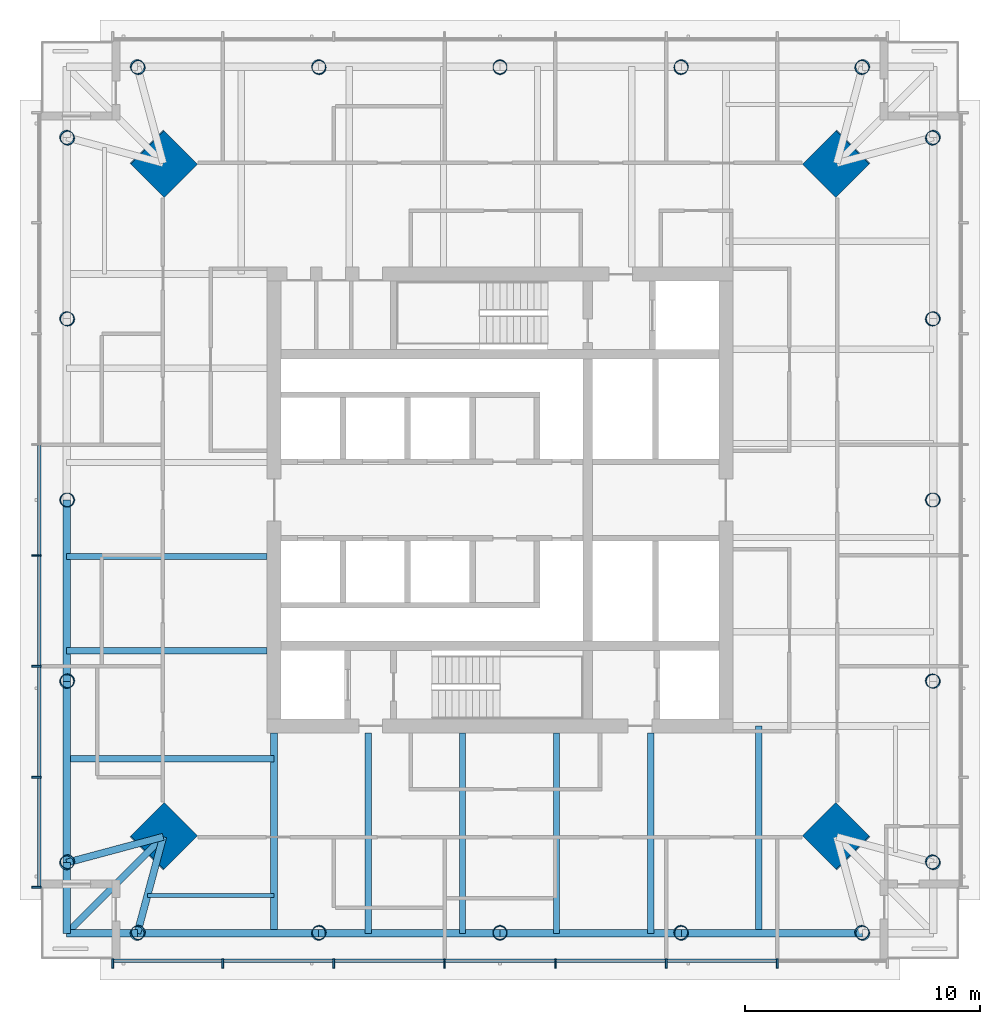
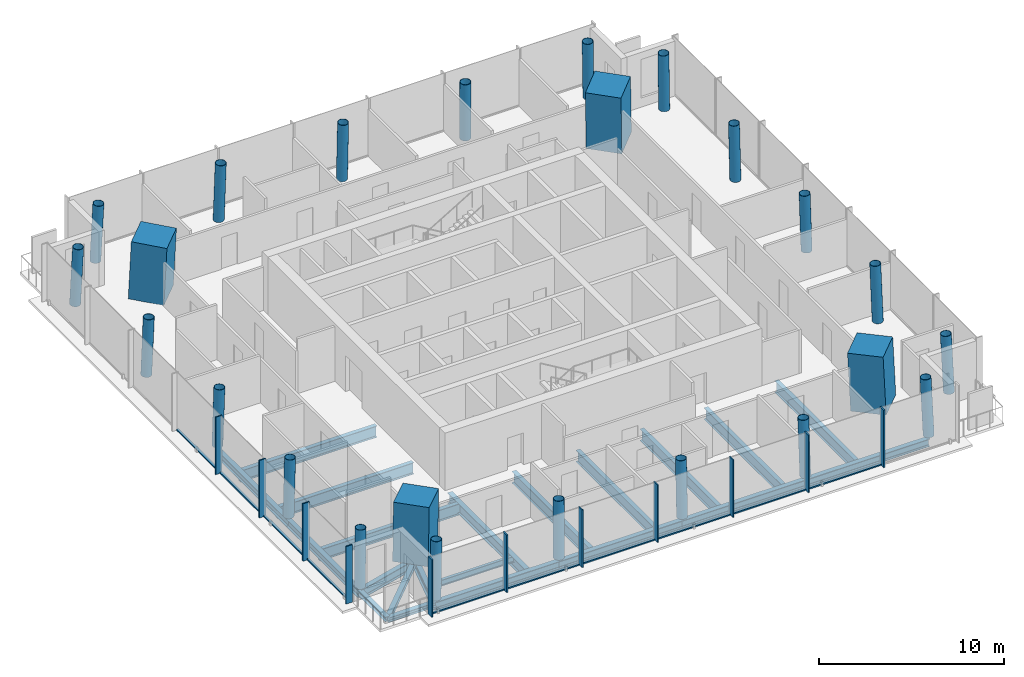
# One storey, part 1 of 11: 24 columns, 21 beams, 21 members, 2 elements without a shape of their own.
"""IFC4 building model written with IfcOpenShell, lengths in metres."""

from ifc_helpers import new_model, si_unit, direction, frame, origin, origin_2d, place, context, subcontext, project, spatial, rectangle, hollow_circle, i_section, extrude, material, material_profile, profile_set, type_object, element, aggregate, save


model = new_model("IFC4")

# Units and contexts
model_context = context("Model", 3, precision=1e-05, world=origin(), true_north=direction((0.0, 1.0)))
body_context = subcontext(model_context, "Body", "Model", "MODEL_VIEW")
ifc_project = project(units=[si_unit("LENGTHUNIT", "METRE"), si_unit("AREAUNIT", "SQUARE_METRE"), si_unit("VOLUMEUNIT", "CUBIC_METRE"), si_unit("PLANEANGLEUNIT", "RADIAN"), si_unit("MASSUNIT", "GRAM", prefix="KILO")], contexts=[model_context])

# Site, building, storey
site_placement = place(None, origin())
site = spatial("IfcSite", under=ifc_project, at=site_placement, CompositionType="ELEMENT")
building_placement = place(site_placement, origin())
building = spatial("IfcBuilding", under=site, at=building_placement, Name="Ostroluk Exchange", CompositionType="ELEMENT")
storey_placement = place(building_placement, frame((0.0, 0.0, 195.800048828125)))
storey = spatial("IfcBuildingStorey", under=building, at=storey_placement, Name="L50", CompositionType="ELEMENT", Elevation=195.800048828125)

# Columns
ifc_material_1 = material(Name="Concrete C50/60", Category="concrete")
ifc_material_profile_1 = material_profile(ifc_material_1, rectangle(XDim=2.0, YDim=2.0, at=origin_2d()), Name="RC 2000x2000")
ifc_profile_set_1 = profile_set([ifc_material_profile_1], Name="Concrete C50/60")
column_type_1 = type_object("IfcColumnType", Name="Mega column RC 2000x2000", PredefinedType="COLUMN", material=ifc_profile_set_1)
for number, where, z_axis, x_axis, name in (
    (1, (59.314208984375, 60.314208984375, 0.0), (-0.031898107953, -0.031898107953, 0.998981992539), (0.707106781187, -0.707106781187, 0.0), "T1 mega column NE"),
    (2, (30.685791015625, 60.314208984375, 0.0), (0.031898107953, -0.031898107953, 0.998981992539), (0.707106781187, 0.707106781187, 0.0), "T1 mega column NW"),
    (3, (30.685791015625, 31.685791015625, 0.0), (0.031898107953, 0.031898107953, 0.998981992539), (-0.707106781187, 0.707106781187, 0.0), "T1 mega column SW"),
    (4, (59.314208984375, 31.685791015625, 0.0), (-0.031898107953, 0.031898107953, 0.998981992539), (-0.707106781187, -0.707106781187, 0.0), "T1 mega column SE"),
):
    element("IfcColumn", number, at=place(storey_placement, frame(where, z_axis=z_axis, x_axis=x_axis)), inside=storey, type_object=column_type_1, Name=name, PredefinedType="COLUMN", context=body_context, shape_type="SweptSolid", body=[
        extrude(rectangle(XDim=2.0, YDim=2.0, at=origin_2d()), origin(), (0.0, 0.0, 1.0), 3.803955078125),
    ])
ifc_material_2 = material(Name="Steel S460", Category="steel")
ifc_material_profile_2 = material_profile(ifc_material_2, hollow_circle(Radius=0.304931640625, WallThickness=0.02490234375, at=origin_2d()), Name="CHS 610x25")
ifc_profile_set_2 = profile_set([ifc_material_profile_2], Name="Steel S460")
column_type_2 = type_object("IfcColumnType", Name="Perimeter column CHS 610x25", PredefinedType="COLUMN", material=ifc_profile_set_2)
for number, where, z_axis, x_axis, name in (
    (5, (63.414306640625, 30.585693359375, 0.0), (-0.031898107953, 0.031898107953, 0.998981992539), (-0.707106781187, -0.707106781187, 0.0), "T1 east face column E0"),
    (6, (63.414306640625, 61.414306640625, 0.0), (-0.031898107953, -0.031898107953, 0.998981992539), (0.707106781187, -0.707106781187, 0.0), "T1 east face column E1"),
):
    element("IfcColumn", number, at=place(storey_placement, frame(where, z_axis=z_axis, x_axis=x_axis)), inside=storey, type_object=column_type_2, Name=name, PredefinedType="COLUMN", context=body_context, shape_type="SweptSolid", body=[
        extrude(hollow_circle(Radius=0.304931640625, WallThickness=0.02490234375, at=origin_2d()), origin(), (0.0, 0.0, 1.0), 3.803955078125),
    ])
column_1_placement = place(storey_placement, frame((63.414306640625, 38.29296875, 0.0), z_axis=(-0.031910302246, 0.015923048203, 0.999363892257), x_axis=(-0.446493300058, -0.894786976326, 0.0)))
element("IfcColumn", 7, at=column_1_placement, inside=storey, type_object=column_type_2, Name="T1 east face column I1", PredefinedType="COLUMN", context=body_context, shape_type="SweptSolid", body=[
    extrude(hollow_circle(Radius=0.304931640625, WallThickness=0.02490234375, at=origin_2d()), origin(), (0.0, 0.0, 1.0), 3.802490234375),
])
column_2_placement = place(storey_placement, frame((63.414306640625, 46.0, 0.0), z_axis=(-0.031914348339, 0.0, 0.999490607445), x_axis=(0.0, -1.0, 0.0)))
element("IfcColumn", 8, at=column_2_placement, inside=storey, type_object=column_type_2, Name="T1 east face column I2", PredefinedType="COLUMN", context=body_context, shape_type="SweptSolid", body=[
    extrude(hollow_circle(Radius=0.304931640625, WallThickness=0.02490234375, at=origin_2d()), origin(), (0.0, 0.0, 1.0), 3.802001953125),
])
column_3_placement = place(storey_placement, frame((63.414306640625, 53.70703125, 0.0), z_axis=(-0.031910302246, -0.015923048203, 0.999363892257), x_axis=(0.446493300058, -0.894786976326, 0.0)))
element("IfcColumn", 9, at=column_3_placement, inside=storey, type_object=column_type_2, Name="T1 east face column I3", PredefinedType="COLUMN", context=body_context, shape_type="SweptSolid", body=[
    extrude(hollow_circle(Radius=0.304931640625, WallThickness=0.02490234375, at=origin_2d()), origin(), (0.0, 0.0, 1.0), 3.802490234375),
])
for number, where, z_axis, x_axis, name in (
    (10, (60.414306640625, 64.414306640625, 0.0), (-0.031898107953, -0.031898107953, 0.998981992539), (0.707106781187, -0.707106781187, 0.0), "T1 north face column E0"),
    (11, (29.585693359375, 64.414306640625, 0.0), (0.031898107953, -0.031898107953, 0.998981992539), (0.707106781187, 0.707106781187, 0.0), "T1 north face column E1"),
):
    element("IfcColumn", number, at=place(storey_placement, frame(where, z_axis=z_axis, x_axis=x_axis)), inside=storey, type_object=column_type_2, Name=name, PredefinedType="COLUMN", context=body_context, shape_type="SweptSolid", body=[
        extrude(hollow_circle(Radius=0.304931640625, WallThickness=0.02490234375, at=origin_2d()), origin(), (0.0, 0.0, 1.0), 3.803955078125),
    ])
column_4_placement = place(storey_placement, frame((52.70703125, 64.414306640625, 0.0), z_axis=(-0.015923048203, -0.031910302246, 0.999363892257), x_axis=(0.894786976326, -0.446493300058, 0.0)))
element("IfcColumn", 12, at=column_4_placement, inside=storey, type_object=column_type_2, Name="T1 north face column I1", PredefinedType="COLUMN", context=body_context, shape_type="SweptSolid", body=[
    extrude(hollow_circle(Radius=0.304931640625, WallThickness=0.02490234375, at=origin_2d()), origin(), (0.0, 0.0, 1.0), 3.802490234375),
])
column_5_placement = place(storey_placement, frame((45.0, 64.414306640625, 0.0), z_axis=(0.0, -0.031914348339, 0.999490607445), x_axis=(1.0, 0.0, 0.0)))
element("IfcColumn", 13, at=column_5_placement, inside=storey, type_object=column_type_2, Name="T1 north face column I2", PredefinedType="COLUMN", context=body_context, shape_type="SweptSolid", body=[
    extrude(hollow_circle(Radius=0.304931640625, WallThickness=0.02490234375, at=origin_2d()), origin(), (0.0, 0.0, 1.0), 3.802001953125),
])
column_6_placement = place(storey_placement, frame((37.29296875, 64.414306640625, 0.0), z_axis=(0.015923048203, -0.031910302246, 0.999363892257), x_axis=(0.894786976326, 0.446493300058, 0.0)))
element("IfcColumn", 14, at=column_6_placement, inside=storey, type_object=column_type_2, Name="T1 north face column I3", PredefinedType="COLUMN", context=body_context, shape_type="SweptSolid", body=[
    extrude(hollow_circle(Radius=0.304931640625, WallThickness=0.02490234375, at=origin_2d()), origin(), (0.0, 0.0, 1.0), 3.802490234375),
])
for number, where, z_axis, x_axis, name in (
    (15, (26.585693359375, 61.414306640625, 0.0), (0.031898107953, -0.031898107953, 0.998981992539), (0.707106781187, 0.707106781187, 0.0), "T1 west face column E0"),
    (16, (26.585693359375, 30.585693359375, 0.0), (0.031898107953, 0.031898107953, 0.998981992539), (-0.707106781187, 0.707106781187, 0.0), "T1 west face column E1"),
):
    element("IfcColumn", number, at=place(storey_placement, frame(where, z_axis=z_axis, x_axis=x_axis)), inside=storey, type_object=column_type_2, Name=name, PredefinedType="COLUMN", context=body_context, shape_type="SweptSolid", body=[
        extrude(hollow_circle(Radius=0.304931640625, WallThickness=0.02490234375, at=origin_2d()), origin(), (0.0, 0.0, 1.0), 3.803955078125),
    ])
column_7_placement = place(storey_placement, frame((26.585693359375, 53.70703125, 0.0), z_axis=(0.031910302246, -0.015923048203, 0.999363892257), x_axis=(0.446493300058, 0.894786976326, 0.0)))
element("IfcColumn", 17, at=column_7_placement, inside=storey, type_object=column_type_2, Name="T1 west face column I1", PredefinedType="COLUMN", context=body_context, shape_type="SweptSolid", body=[
    extrude(hollow_circle(Radius=0.304931640625, WallThickness=0.02490234375, at=origin_2d()), origin(), (0.0, 0.0, 1.0), 3.802490234375),
])
column_8_placement = place(storey_placement, frame((26.585693359375, 46.0, 0.0), z_axis=(0.031914348339, 0.0, 0.999490607445), x_axis=(0.0, 1.0, 0.0)))
element("IfcColumn", 18, at=column_8_placement, inside=storey, type_object=column_type_2, Name="T1 west face column I2", PredefinedType="COLUMN", context=body_context, shape_type="SweptSolid", body=[
    extrude(hollow_circle(Radius=0.304931640625, WallThickness=0.02490234375, at=origin_2d()), origin(), (0.0, 0.0, 1.0), 3.802001953125),
])
column_9_placement = place(storey_placement, frame((26.585693359375, 38.29296875, 0.0), z_axis=(0.031910302246, 0.015923048203, 0.999363892257), x_axis=(-0.446493300058, 0.894786976326, 0.0)))
element("IfcColumn", 19, at=column_9_placement, inside=storey, type_object=column_type_2, Name="T1 west face column I3", PredefinedType="COLUMN", context=body_context, shape_type="SweptSolid", body=[
    extrude(hollow_circle(Radius=0.304931640625, WallThickness=0.02490234375, at=origin_2d()), origin(), (0.0, 0.0, 1.0), 3.802490234375),
])
for number, where, z_axis, x_axis, name in (
    (20, (29.585693359375, 27.585693359375, 0.0), (0.031898107953, 0.031898107953, 0.998981992539), (-0.707106781187, 0.707106781187, 0.0), "T1 south face column E0"),
    (21, (60.414306640625, 27.585693359375, 0.0), (-0.031898107953, 0.031898107953, 0.998981992539), (-0.707106781187, -0.707106781187, 0.0), "T1 south face column E1"),
):
    element("IfcColumn", number, at=place(storey_placement, frame(where, z_axis=z_axis, x_axis=x_axis)), inside=storey, type_object=column_type_2, Name=name, PredefinedType="COLUMN", context=body_context, shape_type="SweptSolid", body=[
        extrude(hollow_circle(Radius=0.304931640625, WallThickness=0.02490234375, at=origin_2d()), origin(), (0.0, 0.0, 1.0), 3.803955078125),
    ])
column_10_placement = place(storey_placement, frame((37.29296875, 27.585693359375, 0.0), z_axis=(0.015923048203, 0.031910302246, 0.999363892257), x_axis=(-0.894786976326, 0.446493300058, 0.0)))
element("IfcColumn", 22, at=column_10_placement, inside=storey, type_object=column_type_2, Name="T1 south face column I1", PredefinedType="COLUMN", context=body_context, shape_type="SweptSolid", body=[
    extrude(hollow_circle(Radius=0.304931640625, WallThickness=0.02490234375, at=origin_2d()), origin(), (0.0, 0.0, 1.0), 3.802490234375),
])
column_11_placement = place(storey_placement, frame((45.0, 27.585693359375, 0.0), z_axis=(0.0, 0.031914348339, 0.999490607445), x_axis=(-1.0, 0.0, 0.0)))
element("IfcColumn", 23, at=column_11_placement, inside=storey, type_object=column_type_2, Name="T1 south face column I2", PredefinedType="COLUMN", context=body_context, shape_type="SweptSolid", body=[
    extrude(hollow_circle(Radius=0.304931640625, WallThickness=0.02490234375, at=origin_2d()), origin(), (0.0, 0.0, 1.0), 3.802001953125),
])
column_12_placement = place(storey_placement, frame((52.70703125, 27.585693359375, 0.0), z_axis=(-0.015923048203, 0.031910302246, 0.999363892257), x_axis=(-0.894786976326, -0.446493300058, 0.0)))
element("IfcColumn", 24, at=column_12_placement, inside=storey, type_object=column_type_2, Name="T1 south face column I3", PredefinedType="COLUMN", context=body_context, shape_type="SweptSolid", body=[
    extrude(hollow_circle(Radius=0.304931640625, WallThickness=0.02490234375, at=origin_2d()), origin(), (0.0, 0.0, 1.0), 3.802490234375),
])

# Beams
ifc_material_3 = material(Name="Steel S355", Category="steel")
ifc_material_profile_3 = material_profile(ifc_material_3, i_section(OverallWidth=0.300048828125, OverallDepth=0.300048828125, WebThickness=0.010986328125, FlangeThickness=0.01904296875, FilletRadius=0.027099609375, at=origin_2d()), Name="HEB 300")
ifc_profile_set_3 = profile_set([ifc_material_profile_3], Name="Steel S355")
beam_type_1 = type_object("IfcBeamType", Name="Balcony beam HEB 300", PredefinedType="BEAM", material=ifc_profile_set_3)
for number, where, z_axis, x_axis, name in (
    (25, (26.585693359375, 30.585693359375, -0.330078125), (0.0, -1.0, 0.0), (1.0, 0.0, 0.0), "T1 west balcony beam a"),
    (26, (29.585693359375, 27.585693359375, -0.330078125), (-1.0, 0.0, 0.0), (0.0, -1.0, 0.0), "T1 west balcony beam b"),
):
    element("IfcBeam", number, at=place(storey_placement, frame(where, z_axis=z_axis, x_axis=x_axis)), inside=storey, type_object=beam_type_1, Name=name, PredefinedType="BEAM", context=body_context, shape_type="SweptSolid", body=[
        extrude(i_section(OverallWidth=0.300048828125, OverallDepth=0.300048828125, WebThickness=0.010986328125, FlangeThickness=0.01904296875, FilletRadius=0.027099609375, at=origin_2d()), origin(), (0.0, 0.0, 1.0), 3.0),
    ])
beam_1_placement = place(storey_placement, frame((30.685791015625, 31.685791015625, -0.330078125), z_axis=(-0.707106781187, -0.707106781187, 0.0), x_axis=(0.707106781187, -0.707106781187, 0.0)))
element("IfcBeam", 27, at=beam_1_placement, inside=storey, type_object=beam_type_1, Name="T1 west balcony beam c", PredefinedType="BEAM", context=body_context, shape_type="SweptSolid", body=[
    extrude(i_section(OverallWidth=0.300048828125, OverallDepth=0.300048828125, WebThickness=0.010986328125, FlangeThickness=0.01904296875, FilletRadius=0.027099609375, at=origin_2d()), origin(), (0.0, 0.0, 1.0), 5.79833984375),
])
ifc_material_4 = material(Name="Steel S355", Category="steel")
ifc_material_profile_4 = material_profile(ifc_material_4, i_section(OverallWidth=0.300048828125, OverallDepth=0.60009765625, WebThickness=0.015380859375, FlangeThickness=0.030029296875, FilletRadius=0.027099609375, at=origin_2d()), Name="HEB 600")
ifc_profile_set_4 = profile_set([ifc_material_profile_4], Name="Steel S355")
beam_type_2 = type_object("IfcBeamType", Name="Corner edge beam HEB 600", PredefinedType="SPANDREL", material=ifc_profile_set_4)
for number, where, z_axis, x_axis, name in (
    (28, (30.685791015625, 31.685791015625, -0.47998046875), (-0.965838624319, -0.259144268261, 0.0), (0.259144268261, -0.965838624319, 0.0), "T1 west corner edge beam a"),
    (29, (30.685791015625, 31.685791015625, -0.47998046875), (-0.259144268261, -0.965838624319, 0.0), (0.965838624319, -0.259144268261, 0.0), "T1 west corner edge beam b"),
):
    element("IfcBeam", number, at=place(storey_placement, frame(where, z_axis=z_axis, x_axis=x_axis)), inside=storey, type_object=beam_type_2, Name=name, PredefinedType="SPANDREL", context=body_context, shape_type="SweptSolid", body=[
        extrude(i_section(OverallWidth=0.300048828125, OverallDepth=0.60009765625, WebThickness=0.015380859375, FlangeThickness=0.030029296875, FilletRadius=0.027099609375, at=origin_2d()), origin(), (0.0, 0.0, 1.0), 4.2451171875),
    ])
ifc_material_5 = material(Name="Steel S355", Category="steel")
ifc_material_profile_5 = material_profile(ifc_material_5, i_section(OverallWidth=0.179931640625, OverallDepth=0.39990234375, WebThickness=0.008544921875, FlangeThickness=0.013427734375, FilletRadius=0.02099609375, at=origin_2d()), Name="IPE 400")
ifc_profile_set_5 = profile_set([ifc_material_profile_5], Name="Steel S355")
beam_type_3 = type_object("IfcBeamType", Name="Floor beam IPE 400", PredefinedType="BEAM", material=ifc_profile_set_5)
beam_2_placement = place(storey_placement, frame((35.39990234375, 29.185791015625, -0.380126953125), z_axis=(-1.0, 0.0, 0.0), x_axis=(0.0, -1.0, 0.0)))
element("IfcBeam", 30, at=beam_2_placement, inside=storey, type_object=beam_type_3, Name="T1 west floor beam 6", PredefinedType="BEAM", context=body_context, shape_type="SweptSolid", body=[
    extrude(i_section(OverallWidth=0.179931640625, OverallDepth=0.39990234375, WebThickness=0.008544921875, FlangeThickness=0.013427734375, FilletRadius=0.02099609375, at=origin_2d()), origin(), (0.0, 0.0, 1.0), 5.385009765625),
])
ifc_material_6 = material(Name="Steel S355", Category="steel")
ifc_material_profile_6 = material_profile(ifc_material_6, i_section(OverallWidth=0.264892578125, OverallDepth=0.7529296875, WebThickness=0.01318359375, FlangeThickness=0.01708984375, FilletRadius=0.01708984375, at=origin_2d()), Name="IPE 750x147")
ifc_profile_set_6 = profile_set([ifc_material_profile_6], Name="Steel S355")
beam_type_4 = type_object("IfcBeamType", Name="Floor beam IPE 750x147", PredefinedType="BEAM", material=ifc_profile_set_6)
for number, where, z_axis, x_axis, name in (
    (31, (35.10009765625, 43.593994140625, -0.556640625), (-1.0, 0.0, 0.0), (0.0, -1.0, 0.0), "T1 west floor beam 3"),
    (32, (35.10009765625, 39.591796875, -0.556640625), (-1.0, 0.0, 0.0), (0.0, -1.0, 0.0), "T1 west floor beam 4"),
):
    element("IfcBeam", number, at=place(storey_placement, frame(where, z_axis=z_axis, x_axis=x_axis)), inside=storey, type_object=beam_type_4, Name=name, PredefinedType="BEAM", context=body_context, shape_type="SweptSolid", body=[
        extrude(i_section(OverallWidth=0.264892578125, OverallDepth=0.7529296875, WebThickness=0.01318359375, FlangeThickness=0.01708984375, FilletRadius=0.01708984375, at=origin_2d()), origin(), (0.0, 0.0, 1.0), 8.514404296875),
    ])
beam_3_placement = place(storey_placement, frame((35.39990234375, 35.0, -0.556640625), z_axis=(-1.0, 0.0, 0.0), x_axis=(0.0, -1.0, 0.0)))
element("IfcBeam", 33, at=beam_3_placement, inside=storey, type_object=beam_type_4, Name="T1 west floor beam 5", PredefinedType="BEAM", context=body_context, shape_type="SweptSolid", body=[
    extrude(i_section(OverallWidth=0.264892578125, OverallDepth=0.7529296875, WebThickness=0.01318359375, FlangeThickness=0.01708984375, FilletRadius=0.01708984375, at=origin_2d()), origin(), (0.0, 0.0, 1.0), 8.814208984375),
])
for number, where, z_axis, x_axis, name in (
    (34, (39.402099609375, 36.10009765625, -0.556640625), (0.0, -1.0, 0.0), (1.0, 0.0, 0.0), "T1 south floor beam 1"),
    (35, (43.404052734375, 36.10009765625, -0.556640625), (0.0, -1.0, 0.0), (1.0, 0.0, 0.0), "T1 south floor beam 2"),
    (36, (47.406005859375, 36.10009765625, -0.556640625), (0.0, -1.0, 0.0), (1.0, 0.0, 0.0), "T1 south floor beam 3"),
    (37, (51.408203125, 36.10009765625, -0.556640625), (0.0, -1.0, 0.0), (1.0, 0.0, 0.0), "T1 south floor beam 4"),
):
    element("IfcBeam", number, at=place(storey_placement, frame(where, z_axis=z_axis, x_axis=x_axis)), inside=storey, type_object=beam_type_4, Name=name, PredefinedType="BEAM", context=body_context, shape_type="SweptSolid", body=[
        extrude(i_section(OverallWidth=0.264892578125, OverallDepth=0.7529296875, WebThickness=0.01318359375, FlangeThickness=0.01708984375, FilletRadius=0.01708984375, at=origin_2d()), origin(), (0.0, 0.0, 1.0), 8.514404296875),
    ])
beam_4_placement = place(storey_placement, frame((56.0, 36.39990234375, -0.556640625), z_axis=(0.0, -1.0, 0.0), x_axis=(1.0, 0.0, 0.0)))
element("IfcBeam", 38, at=beam_4_placement, inside=storey, type_object=beam_type_4, Name="T1 south floor beam 5", PredefinedType="BEAM", context=body_context, shape_type="SweptSolid", body=[
    extrude(i_section(OverallWidth=0.264892578125, OverallDepth=0.7529296875, WebThickness=0.01318359375, FlangeThickness=0.01708984375, FilletRadius=0.01708984375, at=origin_2d()), origin(), (0.0, 0.0, 1.0), 8.814208984375),
])
ifc_material_7 = material(Name="Steel S355", Category="steel")
ifc_material_profile_7 = material_profile(ifc_material_7, i_section(OverallWidth=0.300048828125, OverallDepth=0.699951171875, WebThickness=0.01708984375, FlangeThickness=0.031982421875, FilletRadius=0.027099609375, at=origin_2d()), Name="HEB 700")
ifc_profile_set_7 = profile_set([ifc_material_profile_7], Name="Steel S355")
beam_type_5 = type_object("IfcBeamType", Name="Girder HEB 700", PredefinedType="BEAM", material=ifc_profile_set_7)
beam_5_placement = place(storey_placement, frame((35.39990234375, 36.10009765625, -0.530029296875), z_axis=(0.0, -1.0, 0.0), x_axis=(1.0, 0.0, 0.0)))
element("IfcBeam", 39, at=beam_5_placement, inside=storey, type_object=beam_type_5, Name="T1 west girder", PredefinedType="BEAM", context=body_context, shape_type="SweptSolid", body=[
    extrude(i_section(OverallWidth=0.300048828125, OverallDepth=0.699951171875, WebThickness=0.01708984375, FlangeThickness=0.031982421875, FilletRadius=0.027099609375, at=origin_2d()), origin(), (0.0, 0.0, 1.0), 8.514404296875),
])
ifc_material_8 = material(Name="Steel S355", Category="steel")
ifc_material_profile_8 = material_profile(ifc_material_8, i_section(OverallWidth=0.300048828125, OverallDepth=0.5, WebThickness=0.014404296875, FlangeThickness=0.028076171875, FilletRadius=0.027099609375, at=origin_2d()), Name="HEB 500")
ifc_profile_set_8 = profile_set([ifc_material_profile_8], Name="Steel S355")
beam_type_6 = type_object("IfcBeamType", Name="Moment-connected edge beam HEB 500", PredefinedType="SPANDREL", material=ifc_profile_set_8)
beam_6_placement = place(storey_placement, frame((26.585693359375, 46.0, -0.429931640625), z_axis=(0.0, -1.0, 0.0), x_axis=(1.0, 0.0, 0.0)))
element("IfcBeam", 40, at=beam_6_placement, inside=storey, type_object=beam_type_6, Name="T1 west edge beam 3", PredefinedType="SPANDREL", context=body_context, shape_type="SweptSolid", body=[
    extrude(i_section(OverallWidth=0.300048828125, OverallDepth=0.5, WebThickness=0.014404296875, FlangeThickness=0.028076171875, FilletRadius=0.027099609375, at=origin_2d()), origin(), (0.0, 0.0, 1.0), 7.70703125),
])
for number, where, z_axis, x_axis, name in (
    (41, (26.585693359375, 38.29296875, -0.429931640625), (0.0, -1.0, 0.0), (1.0, 0.0, 0.0), "T1 west edge beam 4"),
    (42, (29.585693359375, 27.585693359375, -0.429931640625), (1.0, 0.0, 0.0), (0.0, 1.0, 0.0), "T1 south edge beam 1"),
):
    element("IfcBeam", number, at=place(storey_placement, frame(where, z_axis=z_axis, x_axis=x_axis)), inside=storey, type_object=beam_type_6, Name=name, PredefinedType="SPANDREL", context=body_context, shape_type="SweptSolid", body=[
        extrude(i_section(OverallWidth=0.300048828125, OverallDepth=0.5, WebThickness=0.014404296875, FlangeThickness=0.028076171875, FilletRadius=0.027099609375, at=origin_2d()), origin(), (0.0, 0.0, 1.0), 7.707275390625),
    ])
for number, where, z_axis, x_axis, name in (
    (43, (37.29296875, 27.585693359375, -0.429931640625), (1.0, 0.0, 0.0), (0.0, 1.0, 0.0), "T1 south edge beam 2"),
    (44, (45.0, 27.585693359375, -0.429931640625), (1.0, 0.0, 0.0), (0.0, 1.0, 0.0), "T1 south edge beam 3"),
):
    element("IfcBeam", number, at=place(storey_placement, frame(where, z_axis=z_axis, x_axis=x_axis)), inside=storey, type_object=beam_type_6, Name=name, PredefinedType="SPANDREL", context=body_context, shape_type="SweptSolid", body=[
        extrude(i_section(OverallWidth=0.300048828125, OverallDepth=0.5, WebThickness=0.014404296875, FlangeThickness=0.028076171875, FilletRadius=0.027099609375, at=origin_2d()), origin(), (0.0, 0.0, 1.0), 7.70703125),
    ])
beam_7_placement = place(storey_placement, frame((52.70703125, 27.585693359375, -0.429931640625), z_axis=(1.0, 0.0, 0.0), x_axis=(0.0, 1.0, 0.0)))
element("IfcBeam", 45, at=beam_7_placement, inside=storey, type_object=beam_type_6, Name="T1 south edge beam 4", PredefinedType="SPANDREL", context=body_context, shape_type="SweptSolid", body=[
    extrude(i_section(OverallWidth=0.300048828125, OverallDepth=0.5, WebThickness=0.014404296875, FlangeThickness=0.028076171875, FilletRadius=0.027099609375, at=origin_2d()), origin(), (0.0, 0.0, 1.0), 7.707275390625),
])

# Curtain wall, members
ifc_material_9 = material(Name="Laminated clear glass", Category="glass")
curtain_wall_type = type_object("IfcCurtainWallType", Name="Office tower facade", PredefinedType="USERDEFINED", material=ifc_material_9)
curtain_wall_1_placement = place(storey_placement, origin())
curtain_wall_1 = element("IfcCurtainWall", 46, at=curtain_wall_1_placement, inside=storey, type_object=curtain_wall_type, Name="Office tower south facade L50", ObjectType="UNITISED CURTAIN WALL", PredefinedType="USERDEFINED")
ifc_material_10 = material(Name="Aluminium mullion", Category="aluminium")
ifc_material_profile_9 = material_profile(ifc_material_10, rectangle(XDim=0.14990234375, YDim=0.080078125, at=origin_2d()), Name="Sill transom 80 x 150")
ifc_profile_set_9 = profile_set([ifc_material_profile_9], Name="Aluminium mullion")
member_type_1 = type_object("IfcMemberType", Name="Sill transom 80 x 150", PredefinedType="USERDEFINED", material=ifc_profile_set_9)
member_1_placement = place(storey_placement, frame((28.580078125, 26.425048828125, 0.0400390625), z_axis=(1.0, 0.0, 0.0), x_axis=(0.0, 1.0, 0.0)))
member_1 = element("IfcMember", 47, at=member_1_placement, type_object=member_type_1, Name="CW-O1 transom 1.1", ObjectType="TRANSOM", PredefinedType="USERDEFINED", context=body_context, shape_type="SweptSolid", body=[
    extrude(rectangle(XDim=0.14990234375, YDim=0.080078125, at=origin_2d()), origin(), (0.0, 0.0, 1.0), 4.59423828125),
])
member_2_placement = place(storey_placement, frame((33.25439453125, 26.425048828125, 0.0400390625), z_axis=(1.0, 0.0, 0.0), x_axis=(0.0, 1.0, 0.0)))
member_2 = element("IfcMember", 48, at=member_2_placement, type_object=member_type_1, Name="CW-O1 transom 2.1", ObjectType="TRANSOM", PredefinedType="USERDEFINED", context=body_context, shape_type="SweptSolid", body=[
    extrude(rectangle(XDim=0.14990234375, YDim=0.080078125, at=origin_2d()), origin(), (0.0, 0.0, 1.0), 4.63427734375),
])
member_3_placement = place(storey_placement, frame((37.968505859375, 26.425048828125, 0.0400390625), z_axis=(1.0, 0.0, 0.0), x_axis=(0.0, 1.0, 0.0)))
member_3 = element("IfcMember", 49, at=member_3_placement, type_object=member_type_1, Name="CW-O1 transom 3.1", ObjectType="TRANSOM", PredefinedType="USERDEFINED", context=body_context, shape_type="SweptSolid", body=[
    extrude(rectangle(XDim=0.14990234375, YDim=0.080078125, at=origin_2d()), origin(), (0.0, 0.0, 1.0), 4.63427734375),
])
member_4_placement = place(storey_placement, frame((42.682861328125, 26.425048828125, 0.0400390625), z_axis=(1.0, 0.0, 0.0), x_axis=(0.0, 1.0, 0.0)))
member_4 = element("IfcMember", 50, at=member_4_placement, type_object=member_type_1, Name="CW-O1 transom 4.1", ObjectType="TRANSOM", PredefinedType="USERDEFINED", context=body_context, shape_type="SweptSolid", body=[
    extrude(rectangle(XDim=0.14990234375, YDim=0.080078125, at=origin_2d()), origin(), (0.0, 0.0, 1.0), 4.63427734375),
])
member_5_placement = place(storey_placement, frame((47.397216796875, 26.425048828125, 0.0400390625), z_axis=(1.0, 0.0, 0.0), x_axis=(0.0, 1.0, 0.0)))
member_5 = element("IfcMember", 51, at=member_5_placement, type_object=member_type_1, Name="CW-O1 transom 5.1", ObjectType="TRANSOM", PredefinedType="USERDEFINED", context=body_context, shape_type="SweptSolid", body=[
    extrude(rectangle(XDim=0.14990234375, YDim=0.080078125, at=origin_2d()), origin(), (0.0, 0.0, 1.0), 4.63427734375),
])
member_6_placement = place(storey_placement, frame((52.111328125, 26.425048828125, 0.0400390625), z_axis=(1.0, 0.0, 0.0), x_axis=(0.0, 1.0, 0.0)))
member_6 = element("IfcMember", 52, at=member_6_placement, type_object=member_type_1, Name="CW-O1 transom 6.1", ObjectType="TRANSOM", PredefinedType="USERDEFINED", context=body_context, shape_type="SweptSolid", body=[
    extrude(rectangle(XDim=0.14990234375, YDim=0.080078125, at=origin_2d()), origin(), (0.0, 0.0, 1.0), 4.63427734375),
])

curtain_wall_2_placement = place(storey_placement, origin())
curtain_wall_2 = element("IfcCurtainWall", 53, at=curtain_wall_2_placement, inside=storey, type_object=curtain_wall_type, Name="Office tower west facade L50", ObjectType="UNITISED CURTAIN WALL", PredefinedType="USERDEFINED")
member_7_placement = place(storey_placement, frame((25.425048828125, 48.317138671875, 0.0400390625), z_axis=(0.0, -1.0, 0.0), x_axis=(1.0, 0.0, 0.0)))
member_7 = element("IfcMember", 54, at=member_7_placement, type_object=member_type_1, Name="CW-O1 transom 4.1", ObjectType="TRANSOM", PredefinedType="USERDEFINED", context=body_context, shape_type="SweptSolid", body=[
    extrude(rectangle(XDim=0.14990234375, YDim=0.080078125, at=origin_2d()), origin(), (0.0, 0.0, 1.0), 4.63427734375),
])
member_8_placement = place(storey_placement, frame((25.425048828125, 43.602783203125, 0.0400390625), z_axis=(0.0, -1.0, 0.0), x_axis=(1.0, 0.0, 0.0)))
member_8 = element("IfcMember", 55, at=member_8_placement, type_object=member_type_1, Name="CW-O1 transom 5.1", ObjectType="TRANSOM", PredefinedType="USERDEFINED", context=body_context, shape_type="SweptSolid", body=[
    extrude(rectangle(XDim=0.14990234375, YDim=0.080078125, at=origin_2d()), origin(), (0.0, 0.0, 1.0), 4.63427734375),
])
member_9_placement = place(storey_placement, frame((25.425048828125, 38.888671875, 0.0400390625), z_axis=(0.0, -1.0, 0.0), x_axis=(1.0, 0.0, 0.0)))
member_9 = element("IfcMember", 56, at=member_9_placement, type_object=member_type_1, Name="CW-O1 transom 6.1", ObjectType="TRANSOM", PredefinedType="USERDEFINED", context=body_context, shape_type="SweptSolid", body=[
    extrude(rectangle(XDim=0.14990234375, YDim=0.080078125, at=origin_2d()), origin(), (0.0, 0.0, 1.0), 4.63427734375),
])
member_10_placement = place(storey_placement, frame((25.425048828125, 34.17431640625, 0.0400390625), z_axis=(0.0, -1.0, 0.0), x_axis=(1.0, 0.0, 0.0)))
member_10 = element("IfcMember", 57, at=member_10_placement, type_object=member_type_1, Name="CW-O1 transom 7.1", ObjectType="TRANSOM", PredefinedType="USERDEFINED", context=body_context, shape_type="SweptSolid", body=[
    extrude(rectangle(XDim=0.14990234375, YDim=0.080078125, at=origin_2d()), origin(), (0.0, 0.0, 1.0), 4.59423828125),
])

# Member
ifc_material_11 = material(Name="Aluminium mullion with limestone facing", Category="masonry")
ifc_material_profile_10 = material_profile(ifc_material_11, rectangle(XDim=0.39990234375, YDim=0.080078125, at=origin_2d()), Name="Tracery mullion 80 x 400")
ifc_profile_set_10 = profile_set([ifc_material_profile_10], Name="Aluminium mullion with limestone facing")
member_type_2 = type_object("IfcMemberType", Name="Tracery mullion 80 x 400", PredefinedType="MULLION", material=ifc_profile_set_10)
member_11_placement = place(storey_placement, frame((28.5400390625, 26.300048828125, 0.0), z_axis=(0.0, 0.0, 1.0), x_axis=(0.0, 1.0, 0.0)))
member_11 = element("IfcMember", 58, at=member_11_placement, type_object=member_type_2, Name="CW-O1 mullion 1", PredefinedType="MULLION", context=body_context, shape_type="SweptSolid", body=[
    extrude(rectangle(XDim=0.39990234375, YDim=0.080078125, at=origin_2d()), origin(), (0.0, 0.0, 1.0), 3.800048828125),
])

member_12_placement = place(storey_placement, frame((33.21435546875, 26.300048828125, 0.0), z_axis=(0.0, 0.0, 1.0), x_axis=(0.0, 1.0, 0.0)))
member_12 = element("IfcMember", 59, at=member_12_placement, type_object=member_type_2, Name="CW-O1 mullion 2", PredefinedType="MULLION", context=body_context, shape_type="SweptSolid", body=[
    extrude(rectangle(XDim=0.39990234375, YDim=0.080078125, at=origin_2d()), origin(), (0.0, 0.0, 1.0), 3.800048828125),
])

member_13_placement = place(storey_placement, frame((37.928466796875, 26.300048828125, 0.0), z_axis=(0.0, 0.0, 1.0), x_axis=(0.0, 1.0, 0.0)))
member_13 = element("IfcMember", 60, at=member_13_placement, type_object=member_type_2, Name="CW-O1 mullion 3", PredefinedType="MULLION", context=body_context, shape_type="SweptSolid", body=[
    extrude(rectangle(XDim=0.39990234375, YDim=0.080078125, at=origin_2d()), origin(), (0.0, 0.0, 1.0), 3.800048828125),
])

member_14_placement = place(storey_placement, frame((42.642822265625, 26.300048828125, 0.0), z_axis=(0.0, 0.0, 1.0), x_axis=(0.0, 1.0, 0.0)))
member_14 = element("IfcMember", 61, at=member_14_placement, type_object=member_type_2, Name="CW-O1 mullion 4", PredefinedType="MULLION", context=body_context, shape_type="SweptSolid", body=[
    extrude(rectangle(XDim=0.39990234375, YDim=0.080078125, at=origin_2d()), origin(), (0.0, 0.0, 1.0), 3.800048828125),
])

member_15_placement = place(storey_placement, frame((47.357177734375, 26.300048828125, 0.0), z_axis=(0.0, 0.0, 1.0), x_axis=(0.0, 1.0, 0.0)))
member_15 = element("IfcMember", 62, at=member_15_placement, type_object=member_type_2, Name="CW-O1 mullion 5", PredefinedType="MULLION", context=body_context, shape_type="SweptSolid", body=[
    extrude(rectangle(XDim=0.39990234375, YDim=0.080078125, at=origin_2d()), origin(), (0.0, 0.0, 1.0), 3.800048828125),
])

member_16_placement = place(storey_placement, frame((52.071533203125, 26.300048828125, 0.0), z_axis=(0.0, 0.0, 1.0), x_axis=(0.0, 1.0, 0.0)))
member_16 = element("IfcMember", 63, at=member_16_placement, type_object=member_type_2, Name="CW-O1 mullion 6", PredefinedType="MULLION", context=body_context, shape_type="SweptSolid", body=[
    extrude(rectangle(XDim=0.39990234375, YDim=0.080078125, at=origin_2d()), origin(), (0.0, 0.0, 1.0), 3.800048828125),
])

member_17_placement = place(storey_placement, frame((56.78564453125, 26.300048828125, 0.0), z_axis=(0.0, 0.0, 1.0), x_axis=(0.0, 1.0, 0.0)))
member_17 = element("IfcMember", 64, at=member_17_placement, type_object=member_type_2, Name="CW-O1 mullion 7", PredefinedType="MULLION", context=body_context, shape_type="SweptSolid", body=[
    extrude(rectangle(XDim=0.39990234375, YDim=0.080078125, at=origin_2d()), origin(), (0.0, 0.0, 1.0), 3.800048828125),
])

aggregate(curtain_wall_1, [member_11, member_12, member_13, member_14, member_15, member_16, member_17, member_1, member_2, member_3, member_4, member_5, member_6])

member_18_placement = place(storey_placement, frame((25.300048828125, 43.642822265625, 0.0), z_axis=(0.0, 0.0, 1.0), x_axis=(1.0, 0.0, 0.0)))
member_18 = element("IfcMember", 65, at=member_18_placement, type_object=member_type_2, Name="CW-O1 mullion 5", PredefinedType="MULLION", context=body_context, shape_type="SweptSolid", body=[
    extrude(rectangle(XDim=0.39990234375, YDim=0.080078125, at=origin_2d()), origin(), (0.0, 0.0, 1.0), 3.800048828125),
])

member_19_placement = place(storey_placement, frame((25.300048828125, 38.928466796875, 0.0), z_axis=(0.0, 0.0, 1.0), x_axis=(1.0, 0.0, 0.0)))
member_19 = element("IfcMember", 66, at=member_19_placement, type_object=member_type_2, Name="CW-O1 mullion 6", PredefinedType="MULLION", context=body_context, shape_type="SweptSolid", body=[
    extrude(rectangle(XDim=0.39990234375, YDim=0.080078125, at=origin_2d()), origin(), (0.0, 0.0, 1.0), 3.800048828125),
])

member_20_placement = place(storey_placement, frame((25.300048828125, 34.21435546875, 0.0), z_axis=(0.0, 0.0, 1.0), x_axis=(1.0, 0.0, 0.0)))
member_20 = element("IfcMember", 67, at=member_20_placement, type_object=member_type_2, Name="CW-O1 mullion 7", PredefinedType="MULLION", context=body_context, shape_type="SweptSolid", body=[
    extrude(rectangle(XDim=0.39990234375, YDim=0.080078125, at=origin_2d()), origin(), (0.0, 0.0, 1.0), 3.800048828125),
])

member_21_placement = place(storey_placement, frame((25.300048828125, 29.5400390625, 0.0), z_axis=(0.0, 0.0, 1.0), x_axis=(1.0, 0.0, 0.0)))
member_21 = element("IfcMember", 68, at=member_21_placement, type_object=member_type_2, Name="CW-O1 mullion 8", PredefinedType="MULLION", context=body_context, shape_type="SweptSolid", body=[
    extrude(rectangle(XDim=0.39990234375, YDim=0.080078125, at=origin_2d()), origin(), (0.0, 0.0, 1.0), 3.800048828125),
])

aggregate(curtain_wall_2, [member_18, member_19, member_20, member_21, member_7, member_8, member_9, member_10])

save(model, "model.ifc")
